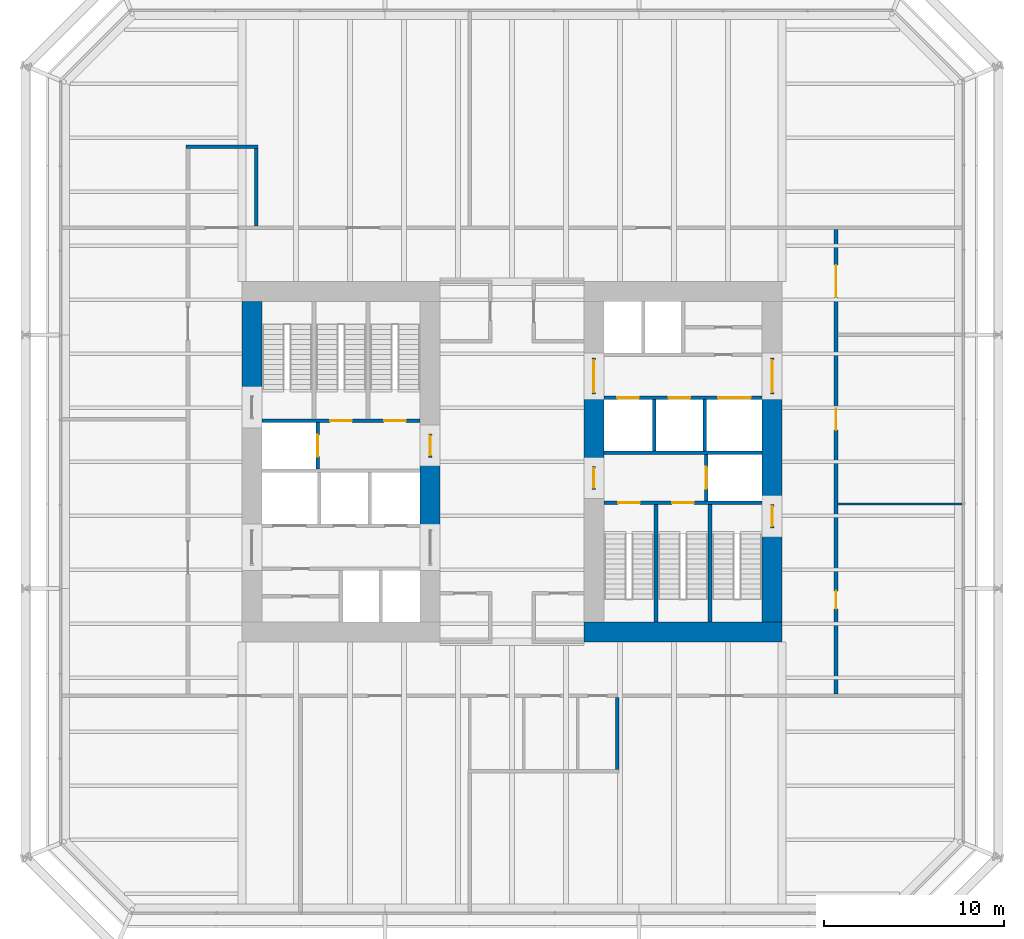
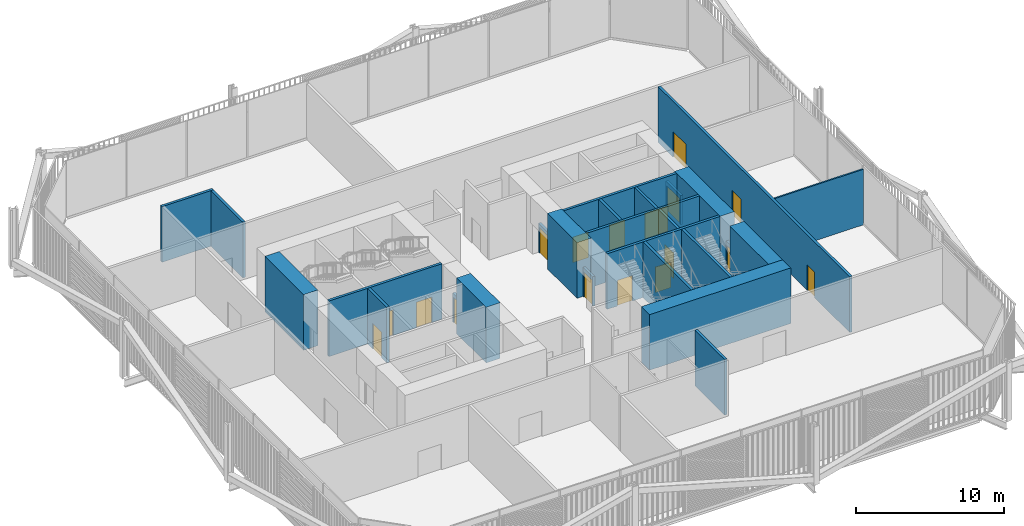
# One storey, part 19 of 22: 26 walls, 17 doors, 17 openings.
"""IFC4 building model written with IfcOpenShell, lengths in metres."""

from ifc_helpers import new_model, si_unit, direction, frame, frame_2d, origin, place, context, subcontext, project, spatial, rectangle, extrude, material, layer, layer_set, type_object, element, fill, save


model = new_model("IFC4")

# Units and contexts
model_context = context("Model", 3, precision=1e-05, world=origin(), true_north=direction((0.0, 1.0)))
body_context = subcontext(model_context, "Body", "Model", "MODEL_VIEW")
ifc_project = project(units=[si_unit("LENGTHUNIT", "METRE"), si_unit("AREAUNIT", "SQUARE_METRE"), si_unit("VOLUMEUNIT", "CUBIC_METRE"), si_unit("PLANEANGLEUNIT", "RADIAN"), si_unit("MASSUNIT", "GRAM", prefix="KILO")], contexts=[model_context])

# Site, building, storey
site_placement = place(None, origin())
site = spatial("IfcSite", under=ifc_project, at=site_placement, CompositionType="ELEMENT")
building_placement = place(site_placement, origin())
building = spatial("IfcBuilding", under=site, at=building_placement, Name="Millrace Tower", CompositionType="ELEMENT")
storey_placement = place(building_placement, frame((0.0, 0.0, 30.5)))
storey = spatial("IfcBuildingStorey", under=building, at=storey_placement, Name="L07", CompositionType="ELEMENT", Elevation=30.5)

# Walls
ifc_material_1 = material(Name="Concrete C80", Category="concrete")
ifc_layer_1 = layer(ifc_material_1, 1.10009765625)
ifc_layer_set_1 = layer_set([ifc_layer_1], Name="Concrete C80")
wall_type_1 = type_object("IfcWallType", Name="Core wall 1100 Concrete C80", PredefinedType="SHEAR", material=ifc_layer_set_1)
wall_1_placement = place(storey_placement, frame((-14.449951171875, 3.679931640625, 0.0), z_axis=(0.0, 0.0, 1.0), x_axis=(0.0, 1.0, 0.0)))
element("IfcWall", 1, at=wall_1_placement, inside=storey, type_object=wall_type_1, Name="Core wall W L07", PredefinedType="SHEAR", context=body_context, shape_type="SweptSolid", body=[
    extrude(rectangle(XDim=5.219970703125, YDim=1.10009765625, at=frame_2d((2.60986328125, 0.0))), origin(), (0.0, 0.0, 1.0), 4.574951171875),
])
wall_2_placement = place(storey_placement, frame((-4.550048828125, -3.75, 0.0), z_axis=(0.0, 0.0, 1.0), x_axis=(0.0, 1.0, 0.0)))
element("IfcWall", 2, at=wall_2_placement, inside=storey, type_object=wall_type_1, Name="Core wall W L07", PredefinedType="SHEAR", context=body_context, shape_type="SweptSolid", body=[
    extrude(rectangle(XDim=4.0, YDim=1.10009765625, at=frame_2d((2.0, 0.0))), origin(), (0.0, 0.0, 1.0), 4.574951171875),
])
wall_3_placement = place(storey_placement, frame((15.0, -9.449951171875, 0.0), z_axis=(0.0, 0.0, 1.0), x_axis=(-1.0, 0.0, 0.0)))
element("IfcWall", 3, at=wall_3_placement, inside=storey, type_object=wall_type_1, Name="Core wall E L07", PredefinedType="SHEAR", context=body_context, shape_type="SweptSolid", body=[
    extrude(rectangle(XDim=11.0, YDim=1.10009765625, at=frame_2d((5.5, 0.0))), origin(), (0.0, 0.0, 1.0), 4.574951171875),
])
wall_4_placement = place(storey_placement, frame((14.449951171875, 3.75, 0.0), z_axis=(0.0, 0.0, 1.0), x_axis=(0.0, -1.0, 0.0)))
element("IfcWall", 4, at=wall_4_placement, inside=storey, type_object=wall_type_1, Name="Core wall E L07", PredefinedType="SHEAR", context=body_context, shape_type="SweptSolid", body=[
    extrude(rectangle(XDim=6.1298828125, YDim=1.10009765625, at=frame_2d((3.06494140625, 0.0))), origin(), (0.0, 0.0, 1.0), 4.574951171875),
])
wall_5_placement = place(storey_placement, frame((14.449951171875, -3.679931640625, 0.0), z_axis=(0.0, 0.0, 1.0), x_axis=(0.0, -1.0, 0.0)))
element("IfcWall", 5, at=wall_5_placement, inside=storey, type_object=wall_type_1, Name="Core wall E L07", PredefinedType="SHEAR", context=body_context, shape_type="SweptSolid", body=[
    extrude(rectangle(XDim=5.219970703125, YDim=1.10009765625, at=frame_2d((2.60986328125, 0.0))), origin(), (0.0, 0.0, 1.0), 4.574951171875),
])
wall_6_placement = place(storey_placement, frame((4.550048828125, 3.75, 0.0), z_axis=(0.0, 0.0, 1.0), x_axis=(0.0, -1.0, 0.0)))
element("IfcWall", 6, at=wall_6_placement, inside=storey, type_object=wall_type_1, Name="Core wall E L07", PredefinedType="SHEAR", context=body_context, shape_type="SweptSolid", body=[
    extrude(rectangle(XDim=4.0, YDim=1.10009765625, at=frame_2d((2.0, 0.0))), origin(), (0.0, 0.0, 1.0), 4.574951171875),
])
ifc_material_2 = material(Name="Masonry partition, fire-rated", Category="masonry")
ifc_layer_2 = layer(ifc_material_2, 0.199951171875)
ifc_layer_set_2 = layer_set([ifc_layer_2], Name="Masonry partition, fire-rated")
wall_type_2 = type_object("IfcWallType", Name="Corridor wall 200", PredefinedType="PARTITIONING", material=ifc_layer_set_2)
wall_7_placement = place(storey_placement, frame((-18.10009765625, 17.5, 0.0), z_axis=(0.0, 0.0, 1.0), x_axis=(1.0, 0.0, 0.0)))
element("IfcWall", 7, at=wall_7_placement, inside=storey, type_object=wall_type_2, Name="Corridor wall L07", PredefinedType="PARTITIONING", context=body_context, shape_type="SweptSolid", body=[
    extrude(rectangle(XDim=4.0, YDim=0.199951171875, at=frame_2d((2.0, 0.0))), origin(), (0.0, 0.0, 1.0), 4.574951171875),
])

# Wall, openings, doors
wall_8_placement = place(storey_placement, frame((18.0, -12.89990234375, 0.0), z_axis=(0.0, 0.0, 1.0), x_axis=(0.0, 1.0, 0.0)))
wall_8 = element("IfcWall", 8, at=wall_8_placement, inside=storey, type_object=wall_type_2, Name="Corridor wall L07", PredefinedType="PARTITIONING", context=body_context, shape_type="SweptSolid", body=[
    extrude(rectangle(XDim=25.7998046875, YDim=0.199951171875, at=frame_2d((12.89990234375, 0.0))), origin(), (0.0, 0.0, 1.0), 4.574951171875),
])
opening_1_placement = place(wall_8_placement, frame((4.72509765625, 0.0, 0.0)))
opening_1 = element("IfcOpeningElement", 9, at=opening_1_placement, cuts=wall_8, Name="Opening 07-P014", PredefinedType="OPENING", context=body_context, shape_type="SweptSolid", body=[
    extrude(rectangle(XDim=1.0, YDim=2.10009765625, at=frame_2d((0.5, 1.050048828125))), frame((0.0, 0.10986328125, 0.0), z_axis=(0.0, -1.0, 0.0), x_axis=(1.0, 0.0, 0.0)), (0.0, 0.0, 1.0), 0.219970703125),
])
opening_2_placement = place(wall_8_placement, frame((14.64990234375, 0.0, 0.0)))
opening_2 = element("IfcOpeningElement", 10, at=opening_2_placement, cuts=wall_8, Name="Opening 07-P015", PredefinedType="OPENING", context=body_context, shape_type="SweptSolid", body=[
    extrude(rectangle(XDim=1.199951171875, YDim=2.10009765625, at=frame_2d((0.60009765625, 1.050048828125))), frame((0.0, 0.10986328125, 0.0), z_axis=(0.0, -1.0, 0.0), x_axis=(1.0, 0.0, 0.0)), (0.0, 0.0, 1.0), 0.219970703125),
])
opening_3_placement = place(wall_8_placement, frame((22.02490234375, 0.0, 0.0)))
opening_3 = element("IfcOpeningElement", 11, at=opening_3_placement, cuts=wall_8, Name="Opening 07-P016", PredefinedType="OPENING", context=body_context, shape_type="SweptSolid", body=[
    extrude(rectangle(XDim=1.800048828125, YDim=2.10009765625, at=frame_2d((0.89990234375, 1.050048828125))), frame((0.0, 0.10986328125, 0.0), z_axis=(0.0, -1.0, 0.0), x_axis=(1.0, 0.0, 0.0)), (0.0, 0.0, 1.0), 0.219970703125),
])
ifc_material_3 = material(Name="Steel door set, fire-rated", Category="steel")
door_type_1 = type_object("IfcDoorType", Name="Corridor door 1000 x 2100", OperationType="SINGLE_SWING_LEFT", PredefinedType="DOOR", material=ifc_material_3)
door_1_placement = place(opening_1_placement, frame((1.0, 0.0, 0.0), z_axis=(0.0, 0.0, 1.0), x_axis=(-1.0, 0.0, 0.0)))
door_1 = element("IfcDoor", 12, at=door_1_placement, inside=storey, type_object=door_type_1, Name="Door 07-P014", OperationType="SINGLE_SWING_RIGHT", OverallHeight=2.10009765625, OverallWidth=1.0, PredefinedType="DOOR", context=body_context, shape_type="SweptSolid", body=[
    extrude(rectangle(XDim=1.0, YDim=2.10009765625, at=frame_2d((0.5, 1.050048828125))), frame((0.0, 0.02490234375, 0.0), z_axis=(0.0, -1.0, 0.0), x_axis=(1.0, 0.0, 0.0)), (0.0, 0.0, 1.0), 0.050048828125),
])
fill(opening_1, door_1)
ifc_material_4 = material(Name="Steel door set, fire-rated", Category="steel")
door_type_2 = type_object("IfcDoorType", Name="Corridor door 1200 x 2100", OperationType="SINGLE_SWING_LEFT", PredefinedType="DOOR", material=ifc_material_4)
door_2_placement = place(opening_2_placement, frame((1.199951171875, 0.0, 0.0), z_axis=(0.0, 0.0, 1.0), x_axis=(-1.0, 0.0, 0.0)))
door_2 = element("IfcDoor", 13, at=door_2_placement, inside=storey, type_object=door_type_2, Name="Door 07-P015", OperationType="SINGLE_SWING_LEFT", OverallHeight=2.10009765625, OverallWidth=1.199951171875, PredefinedType="DOOR", context=body_context, shape_type="SweptSolid", body=[
    extrude(rectangle(XDim=1.199951171875, YDim=2.10009765625, at=frame_2d((0.60009765625, 1.050048828125))), frame((0.0, 0.02490234375, 0.0), z_axis=(0.0, -1.0, 0.0), x_axis=(1.0, 0.0, 0.0)), (0.0, 0.0, 1.0), 0.050048828125),
])
fill(opening_2, door_2)
ifc_material_5 = material(Name="Steel door set, fire-rated", Category="steel")
door_type_3 = type_object("IfcDoorType", Name="Data hall door 1800 x 2100", OperationType="DOUBLE_DOOR_SINGLE_SWING", PredefinedType="DOOR", material=ifc_material_5)
door_3_placement = place(opening_3_placement, frame((1.800048828125, 0.0, 0.0), z_axis=(0.0, 0.0, 1.0), x_axis=(-1.0, 0.0, 0.0)))
door_3 = element("IfcDoor", 14, at=door_3_placement, inside=storey, type_object=door_type_3, Name="Door 07-P016", OperationType="DOUBLE_DOOR_SINGLE_SWING", OverallHeight=2.10009765625, OverallWidth=1.800048828125, PredefinedType="DOOR", context=body_context, shape_type="SweptSolid", body=[
    extrude(rectangle(XDim=1.800048828125, YDim=2.10009765625, at=frame_2d((0.89990234375, 1.050048828125))), frame((0.0, 0.02490234375, 0.0), z_axis=(0.0, -1.0, 0.0), x_axis=(1.0, 0.0, 0.0)), (0.0, 0.0, 1.0), 0.050048828125),
])
fill(opening_3, door_3)

# Walls
wall_9_placement = place(storey_placement, frame((5.85009765625, -17.10009765625, 0.0), z_axis=(0.0, 0.0, 1.0), x_axis=(0.0, 1.0, 0.0)))
element("IfcWall", 15, at=wall_9_placement, inside=storey, type_object=wall_type_2, Name="Corridor wall L07", PredefinedType="PARTITIONING", context=body_context, shape_type="SweptSolid", body=[
    extrude(rectangle(XDim=4.0, YDim=0.199951171875, at=frame_2d((2.0, 0.0))), origin(), (0.0, 0.0, 1.0), 4.574951171875),
])
wall_10_placement = place(storey_placement, frame((-14.199951171875, 13.10009765625, 0.0), z_axis=(0.0, 0.0, 1.0), x_axis=(0.0, 1.0, 0.0)))
element("IfcWall", 16, at=wall_10_placement, inside=storey, type_object=wall_type_2, Name="Corridor wall L07", PredefinedType="PARTITIONING", context=body_context, shape_type="SweptSolid", body=[
    extrude(rectangle(XDim=4.2998046875, YDim=0.199951171875, at=frame_2d((2.14990234375, 0.0))), origin(), (0.0, 0.0, 1.0), 4.574951171875),
])

# Wall, opening, door
ifc_material_6 = material(Name="Masonry partition, fire-rated", Category="masonry")
ifc_layer_3 = layer(ifc_material_6, 0.199951171875)
ifc_layer_set_3 = layer_set([ifc_layer_3], Name="Masonry partition, fire-rated")
wall_type_3 = type_object("IfcWallType", Name="Lift shaft wall 200", PredefinedType="PARTITIONING", material=ifc_layer_set_3)
wall_11_placement = place(storey_placement, frame((-10.800048828125, -0.39990234375, 0.0), z_axis=(0.0, 0.0, 1.0), x_axis=(0.0, 1.0, 0.0)))
wall_11 = element("IfcWall", 17, at=wall_11_placement, inside=storey, type_object=wall_type_3, Name="Lift shaft wall W L07", PredefinedType="PARTITIONING", context=body_context, shape_type="SweptSolid", body=[
    extrude(rectangle(XDim=2.579833984375, YDim=0.199951171875, at=frame_2d((1.2900390625, 0.0))), origin(), (0.0, 0.0, 1.0), 4.574951171875),
])
opening_4_placement = place(wall_11_placement, frame((0.68994140625, 0.0, 0.0)))
opening_4 = element("IfcOpeningElement", 18, at=opening_4_placement, cuts=wall_11, Name="Opening 07-LD08", PredefinedType="OPENING", context=body_context, shape_type="SweptSolid", body=[
    extrude(rectangle(XDim=1.199951171875, YDim=2.10009765625, at=frame_2d((0.60009765625, 1.050048828125))), frame((0.0, 0.10986328125, 0.0), z_axis=(0.0, -1.0, 0.0), x_axis=(1.0, 0.0, 0.0)), (0.0, 0.0, 1.0), 0.219970703125),
])
ifc_material_7 = material(Name="Stainless steel, fire-rated", Category="steel")
door_type_4 = type_object("IfcDoorType", Name="Lift landing door 1200 x 2100", OperationType="DOUBLE_DOOR_SLIDING", PredefinedType="DOOR", material=ifc_material_7)
door_4_placement = place(opening_4_placement, origin())
door_4 = element("IfcDoor", 19, at=door_4_placement, inside=storey, type_object=door_type_4, Name="Lift landing door LF8 L07", OperationType="DOUBLE_DOOR_SLIDING", OverallHeight=2.10009765625, OverallWidth=1.199951171875, PredefinedType="DOOR", context=body_context, shape_type="SweptSolid", body=[
    extrude(rectangle(XDim=1.199951171875, YDim=2.10009765625, at=frame_2d((0.60009765625, 1.050048828125))), frame((0.0, 0.02490234375, 0.0), z_axis=(0.0, -1.0, 0.0), x_axis=(1.0, 0.0, 0.0)), (0.0, 0.0, 1.0), 0.050048828125),
])
fill(opening_4, door_4)

# Wall, openings, doors
wall_12_placement = place(storey_placement, frame((13.89990234375, 3.550048828125, 0.0), z_axis=(0.0, 0.0, 1.0), x_axis=(-1.0, 0.0, 0.0)))
wall_12 = element("IfcWall", 20, at=wall_12_placement, inside=storey, type_object=wall_type_3, Name="Lift shaft wall E L07", PredefinedType="PARTITIONING", context=body_context, shape_type="SweptSolid", body=[
    extrude(rectangle(XDim=8.7998046875, YDim=0.199951171875, at=frame_2d((4.39990234375, 0.0))), origin(), (0.0, 0.0, 1.0), 4.574951171875),
])
opening_5_placement = place(wall_12_placement, frame((0.64990234375, 0.0, 0.0)))
opening_5 = element("IfcOpeningElement", 21, at=opening_5_placement, cuts=wall_12, Name="Opening 07-LD13", PredefinedType="OPENING", context=body_context, shape_type="SweptSolid", body=[
    extrude(rectangle(XDim=1.800048828125, YDim=2.10009765625, at=frame_2d((0.89990234375, 1.050048828125))), frame((0.0, 0.10986328125, 0.0), z_axis=(0.0, -1.0, 0.0), x_axis=(1.0, 0.0, 0.0)), (0.0, 0.0, 1.0), 0.219970703125),
])
opening_6_placement = place(wall_12_placement, frame((4.0, 0.0, 0.0)))
opening_6 = element("IfcOpeningElement", 22, at=opening_6_placement, cuts=wall_12, Name="Opening 07-LD14", PredefinedType="OPENING", context=body_context, shape_type="SweptSolid", body=[
    extrude(rectangle(XDim=1.199951171875, YDim=2.10009765625, at=frame_2d((0.60009765625, 1.050048828125))), frame((0.0, 0.10986328125, 0.0), z_axis=(0.0, -1.0, 0.0), x_axis=(1.0, 0.0, 0.0)), (0.0, 0.0, 1.0), 0.219970703125),
])
opening_7_placement = place(wall_12_placement, frame((6.85009765625, 0.0, 0.0)))
opening_7 = element("IfcOpeningElement", 23, at=opening_7_placement, cuts=wall_12, Name="Opening 07-LD15", PredefinedType="OPENING", context=body_context, shape_type="SweptSolid", body=[
    extrude(rectangle(XDim=1.199951171875, YDim=2.10009765625, at=frame_2d((0.60009765625, 1.050048828125))), frame((0.0, 0.10986328125, 0.0), z_axis=(0.0, -1.0, 0.0), x_axis=(1.0, 0.0, 0.0)), (0.0, 0.0, 1.0), 0.219970703125),
])
door_5_placement = place(opening_6_placement, origin())
door_5 = element("IfcDoor", 24, at=door_5_placement, inside=storey, type_object=door_type_4, Name="Lift landing door LF14 L07", OperationType="DOUBLE_DOOR_SLIDING", OverallHeight=2.10009765625, OverallWidth=1.199951171875, PredefinedType="DOOR", context=body_context, shape_type="SweptSolid", body=[
    extrude(rectangle(XDim=1.199951171875, YDim=2.10009765625, at=frame_2d((0.60009765625, 1.050048828125))), frame((0.0, 0.02490234375, 0.0), z_axis=(0.0, -1.0, 0.0), x_axis=(1.0, 0.0, 0.0)), (0.0, 0.0, 1.0), 0.050048828125),
])
fill(opening_6, door_5)
door_6_placement = place(opening_7_placement, origin())
door_6 = element("IfcDoor", 25, at=door_6_placement, inside=storey, type_object=door_type_4, Name="Lift landing door LF15 L07", OperationType="DOUBLE_DOOR_SLIDING", OverallHeight=2.10009765625, OverallWidth=1.199951171875, PredefinedType="DOOR", context=body_context, shape_type="SweptSolid", body=[
    extrude(rectangle(XDim=1.199951171875, YDim=2.10009765625, at=frame_2d((0.60009765625, 1.050048828125))), frame((0.0, 0.02490234375, 0.0), z_axis=(0.0, -1.0, 0.0), x_axis=(1.0, 0.0, 0.0)), (0.0, 0.0, 1.0), 0.050048828125),
])
fill(opening_7, door_6)
ifc_material_8 = material(Name="Stainless steel, fire-rated", Category="steel")
door_type_5 = type_object("IfcDoorType", Name="Lift landing door 1800 x 2100", OperationType="DOUBLE_DOOR_SLIDING", PredefinedType="DOOR", material=ifc_material_8)
door_7_placement = place(opening_5_placement, origin())
door_7 = element("IfcDoor", 26, at=door_7_placement, inside=storey, type_object=door_type_5, Name="Lift landing door LF13 L07", OperationType="DOUBLE_DOOR_SLIDING", OverallHeight=2.10009765625, OverallWidth=1.800048828125, PredefinedType="DOOR", context=body_context, shape_type="SweptSolid", body=[
    extrude(rectangle(XDim=1.800048828125, YDim=2.10009765625, at=frame_2d((0.89990234375, 1.050048828125))), frame((0.0, 0.02490234375, 0.0), z_axis=(0.0, -1.0, 0.0), x_axis=(1.0, 0.0, 0.0)), (0.0, 0.0, 1.0), 0.050048828125),
])
fill(opening_5, door_7)

# Wall
wall_13_placement = place(storey_placement, frame((13.89990234375, 0.5, 0.0), z_axis=(0.0, 0.0, 1.0), x_axis=(-1.0, 0.0, 0.0)))
element("IfcWall", 27, at=wall_13_placement, inside=storey, type_object=wall_type_3, Name="Lift shaft wall E L07", PredefinedType="PARTITIONING", context=body_context, shape_type="SweptSolid", body=[
    extrude(rectangle(XDim=8.7998046875, YDim=0.199951171875, at=frame_2d((4.39990234375, 0.0))), origin(), (0.0, 0.0, 1.0), 4.574951171875),
])

# Wall, opening, door
wall_14_placement = place(storey_placement, frame((10.800048828125, 0.39990234375, 0.0), z_axis=(0.0, 0.0, 1.0), x_axis=(0.0, -1.0, 0.0)))
wall_14 = element("IfcWall", 28, at=wall_14_placement, inside=storey, type_object=wall_type_3, Name="Lift shaft wall E L07", PredefinedType="PARTITIONING", context=body_context, shape_type="SweptSolid", body=[
    extrude(rectangle(XDim=2.579833984375, YDim=0.199951171875, at=frame_2d((1.2900390625, 0.0))), origin(), (0.0, 0.0, 1.0), 4.574951171875),
])
opening_8_placement = place(wall_14_placement, frame((0.68994140625, 0.0, 0.0)))
opening_8 = element("IfcOpeningElement", 29, at=opening_8_placement, cuts=wall_14, Name="Opening 07-LD16", PredefinedType="OPENING", context=body_context, shape_type="SweptSolid", body=[
    extrude(rectangle(XDim=1.199951171875, YDim=2.10009765625, at=frame_2d((0.60009765625, 1.050048828125))), frame((0.0, 0.10986328125, 0.0), z_axis=(0.0, -1.0, 0.0), x_axis=(1.0, 0.0, 0.0)), (0.0, 0.0, 1.0), 0.219970703125),
])
door_8_placement = place(opening_8_placement, origin())
door_8 = element("IfcDoor", 30, at=door_8_placement, inside=storey, type_object=door_type_4, Name="Lift landing door LF16 L07", OperationType="DOUBLE_DOOR_SLIDING", OverallHeight=2.10009765625, OverallWidth=1.199951171875, PredefinedType="DOOR", context=body_context, shape_type="SweptSolid", body=[
    extrude(rectangle(XDim=1.199951171875, YDim=2.10009765625, at=frame_2d((0.60009765625, 1.050048828125))), frame((0.0, 0.02490234375, 0.0), z_axis=(0.0, -1.0, 0.0), x_axis=(1.0, 0.0, 0.0)), (0.0, 0.0, 1.0), 0.050048828125),
])
fill(opening_8, door_8)

# Walls
for number, where, z_axis, x_axis, name in (
    (31, (10.699951171875, 3.449951171875, 0.0), (0.0, 0.0, 1.0), (0.0, -1.0, 0.0), "Lift shaft wall E L07"),
    (32, (7.89990234375, 3.449951171875, 0.0), (0.0, 0.0, 1.0), (0.0, -1.0, 0.0), "Lift shaft wall E L07"),
):
    element("IfcWall", number, at=place(storey_placement, frame(where, z_axis=z_axis, x_axis=x_axis)), inside=storey, type_object=wall_type_3, Name=name, PredefinedType="PARTITIONING", context=body_context, shape_type="SweptSolid", body=[
        extrude(rectangle(XDim=2.849853515625, YDim=0.199951171875, at=frame_2d((1.4248046875, 0.0))), origin(), (0.0, 0.0, 1.0), 4.574951171875),
    ])

# Wall, opening, door
ifc_material_9 = material(Name="Masonry partition, fire-rated", Category="masonry")
ifc_layer_4 = layer(ifc_material_9, 0.199951171875)
ifc_layer_set_4 = layer_set([ifc_layer_4], Name="Masonry partition, fire-rated")
wall_type_4 = type_object("IfcWallType", Name="Lobby wall 200", PredefinedType="PARTITIONING", material=ifc_layer_set_4)
wall_15_placement = place(storey_placement, frame((-4.550048828125, 0.25, 0.0), z_axis=(0.0, 0.0, 1.0), x_axis=(0.0, 1.0, 0.0)))
wall_15 = element("IfcWall", 33, at=wall_15_placement, inside=storey, type_object=wall_type_4, Name="Lobby wall W L07", PredefinedType="PARTITIONING", context=body_context, shape_type="SweptSolid", body=[
    extrude(rectangle(XDim=1.300048828125, YDim=0.199951171875, at=frame_2d((0.64990234375, 0.0))), origin(), (0.0, 0.0, 1.0), 2.39990234375),
])
opening_9_placement = place(wall_15_placement, frame((0.10009765625, 0.0, 0.0)))
opening_9 = element("IfcOpeningElement", 34, at=opening_9_placement, cuts=wall_15, Name="Opening 07-C004", PredefinedType="OPENING", context=body_context, shape_type="SweptSolid", body=[
    extrude(rectangle(XDim=1.10009765625, YDim=2.10009765625, at=frame_2d((0.550048828125, 1.050048828125))), frame((0.0, 0.10986328125, 0.0), z_axis=(0.0, -1.0, 0.0), x_axis=(1.0, 0.0, 0.0)), (0.0, 0.0, 1.0), 0.219970703125),
])
ifc_material_10 = material(Name="Steel door, fire-rated", Category="steel")
door_type_6 = type_object("IfcDoorType", Name="Lobby door 1100 x 2100", OperationType="SINGLE_SWING_LEFT", PredefinedType="DOOR", material=ifc_material_10)
door_9_placement = place(opening_9_placement, origin())
door_9 = element("IfcDoor", 35, at=door_9_placement, inside=storey, type_object=door_type_6, Name="Lobby door 07-C004", OperationType="SINGLE_SWING_LEFT", OverallHeight=2.10009765625, OverallWidth=1.10009765625, PredefinedType="DOOR", context=body_context, shape_type="SweptSolid", body=[
    extrude(rectangle(XDim=1.10009765625, YDim=2.10009765625, at=frame_2d((0.550048828125, 1.050048828125))), frame((0.0, 0.02490234375, 0.0), z_axis=(0.0, -1.0, 0.0), x_axis=(1.0, 0.0, 0.0)), (0.0, 0.0, 1.0), 0.050048828125),
])
fill(opening_9, door_9)

wall_16_placement = place(storey_placement, frame((14.449951171875, 5.75, 0.0), z_axis=(0.0, 0.0, 1.0), x_axis=(0.0, -1.0, 0.0)))
wall_16 = element("IfcWall", 36, at=wall_16_placement, inside=storey, type_object=wall_type_4, Name="Lobby wall E L07", PredefinedType="PARTITIONING", context=body_context, shape_type="SweptSolid", body=[
    extrude(rectangle(XDim=2.0, YDim=0.199951171875, at=frame_2d((1.0, 0.0))), origin(), (0.0, 0.0, 1.0), 2.39990234375),
])
opening_10_placement = place(wall_16_placement, frame((0.10009765625, 0.0, 0.0)))
opening_10 = element("IfcOpeningElement", 37, at=opening_10_placement, cuts=wall_16, Name="Opening 07-C009", PredefinedType="OPENING", context=body_context, shape_type="SweptSolid", body=[
    extrude(rectangle(XDim=1.800048828125, YDim=2.10009765625, at=frame_2d((0.89990234375, 1.050048828125))), frame((0.0, 0.10986328125, 0.0), z_axis=(0.0, -1.0, 0.0), x_axis=(1.0, 0.0, 0.0)), (0.0, 0.0, 1.0), 0.219970703125),
])
ifc_material_11 = material(Name="Steel door, fire-rated", Category="steel")
door_type_7 = type_object("IfcDoorType", Name="Lobby door 1800 x 2100", OperationType="DOUBLE_DOOR_SINGLE_SWING", PredefinedType="DOOR", material=ifc_material_11)
door_10_placement = place(opening_10_placement, origin())
door_10 = element("IfcDoor", 38, at=door_10_placement, inside=storey, type_object=door_type_7, Name="Lobby door 07-C009", OperationType="DOUBLE_DOOR_SINGLE_SWING", OverallHeight=2.10009765625, OverallWidth=1.800048828125, PredefinedType="DOOR", context=body_context, shape_type="SweptSolid", body=[
    extrude(rectangle(XDim=1.800048828125, YDim=2.10009765625, at=frame_2d((0.89990234375, 1.050048828125))), frame((0.0, 0.02490234375, 0.0), z_axis=(0.0, -1.0, 0.0), x_axis=(1.0, 0.0, 0.0)), (0.0, 0.0, 1.0), 0.050048828125),
])
fill(opening_10, door_10)

wall_17_placement = place(storey_placement, frame((4.550048828125, 5.75, 0.0), z_axis=(0.0, 0.0, 1.0), x_axis=(0.0, -1.0, 0.0)))
wall_17 = element("IfcWall", 39, at=wall_17_placement, inside=storey, type_object=wall_type_4, Name="Lobby wall E L07", PredefinedType="PARTITIONING", context=body_context, shape_type="SweptSolid", body=[
    extrude(rectangle(XDim=2.0, YDim=0.199951171875, at=frame_2d((1.0, 0.0))), origin(), (0.0, 0.0, 1.0), 2.39990234375),
])
opening_11_placement = place(wall_17_placement, frame((0.10009765625, 0.0, 0.0)))
opening_11 = element("IfcOpeningElement", 40, at=opening_11_placement, cuts=wall_17, Name="Opening 07-C011", PredefinedType="OPENING", context=body_context, shape_type="SweptSolid", body=[
    extrude(rectangle(XDim=1.800048828125, YDim=2.10009765625, at=frame_2d((0.89990234375, 1.050048828125))), frame((0.0, 0.10986328125, 0.0), z_axis=(0.0, -1.0, 0.0), x_axis=(1.0, 0.0, 0.0)), (0.0, 0.0, 1.0), 0.219970703125),
])
door_11_placement = place(opening_11_placement, origin())
door_11 = element("IfcDoor", 41, at=door_11_placement, inside=storey, type_object=door_type_7, Name="Lobby door 07-C011", OperationType="DOUBLE_DOOR_SINGLE_SWING", OverallHeight=2.10009765625, OverallWidth=1.800048828125, PredefinedType="DOOR", context=body_context, shape_type="SweptSolid", body=[
    extrude(rectangle(XDim=1.800048828125, YDim=2.10009765625, at=frame_2d((0.89990234375, 1.050048828125))), frame((0.0, 0.02490234375, 0.0), z_axis=(0.0, -1.0, 0.0), x_axis=(1.0, 0.0, 0.0)), (0.0, 0.0, 1.0), 0.050048828125),
])
fill(opening_11, door_11)

wall_18_placement = place(storey_placement, frame((4.550048828125, -0.25, 0.0), z_axis=(0.0, 0.0, 1.0), x_axis=(0.0, -1.0, 0.0)))
wall_18 = element("IfcWall", 42, at=wall_18_placement, inside=storey, type_object=wall_type_4, Name="Lobby wall E L07", PredefinedType="PARTITIONING", context=body_context, shape_type="SweptSolid", body=[
    extrude(rectangle(XDim=1.300048828125, YDim=0.199951171875, at=frame_2d((0.64990234375, 0.0))), origin(), (0.0, 0.0, 1.0), 2.39990234375),
])
opening_12_placement = place(wall_18_placement, frame((0.10009765625, 0.0, 0.0)))
opening_12 = element("IfcOpeningElement", 43, at=opening_12_placement, cuts=wall_18, Name="Opening 07-C012", PredefinedType="OPENING", context=body_context, shape_type="SweptSolid", body=[
    extrude(rectangle(XDim=1.10009765625, YDim=2.10009765625, at=frame_2d((0.550048828125, 1.050048828125))), frame((0.0, 0.10986328125, 0.0), z_axis=(0.0, -1.0, 0.0), x_axis=(1.0, 0.0, 0.0)), (0.0, 0.0, 1.0), 0.219970703125),
])
door_12_placement = place(opening_12_placement, origin())
door_12 = element("IfcDoor", 44, at=door_12_placement, inside=storey, type_object=door_type_6, Name="Lobby door 07-C012", OperationType="SINGLE_SWING_RIGHT", OverallHeight=2.10009765625, OverallWidth=1.10009765625, PredefinedType="DOOR", context=body_context, shape_type="SweptSolid", body=[
    extrude(rectangle(XDim=1.10009765625, YDim=2.10009765625, at=frame_2d((0.550048828125, 1.050048828125))), frame((0.0, 0.02490234375, 0.0), z_axis=(0.0, -1.0, 0.0), x_axis=(1.0, 0.0, 0.0)), (0.0, 0.0, 1.0), 0.050048828125),
])
fill(opening_12, door_12)

# Wall
ifc_material_12 = material(Name="Gypsum board partition")
ifc_layer_5 = layer(ifc_material_12, 0.1201171875)
ifc_layer_set_5 = layer_set([ifc_layer_5], Name="Gypsum board partition")
wall_type_5 = type_object("IfcWallType", Name="Partition wall 120", PredefinedType="PARTITIONING", material=ifc_layer_set_5)
wall_19_placement = place(storey_placement, frame((18.10009765625, -2.35009765625, 0.0), z_axis=(0.0, 0.0, 1.0), x_axis=(1.0, 0.0, 0.0)))
element("IfcWall", 45, at=wall_19_placement, inside=storey, type_object=wall_type_5, Name="Partition wall L07", PredefinedType="PARTITIONING", context=body_context, shape_type="SweptSolid", body=[
    extrude(rectangle(XDim=6.929931640625, YDim=0.1201171875, at=frame_2d((3.46484375, 0.0))), origin(), (0.0, 0.0, 1.0), 4.574951171875),
])

# Wall, openings, doors
ifc_material_13 = material(Name="Concrete C40", Category="concrete")
ifc_layer_6 = layer(ifc_material_13, 0.199951171875)
ifc_layer_set_6 = layer_set([ifc_layer_6], Name="Concrete C40")
wall_type_6 = type_object("IfcWallType", Name="Stair enclosure wall 200 Concrete C40", PredefinedType="SHEAR", material=ifc_layer_set_6)
wall_20_placement = place(storey_placement, frame((-13.89990234375, 2.280029296875, 0.0), z_axis=(0.0, 0.0, 1.0), x_axis=(1.0, 0.0, 0.0)))
wall_20 = element("IfcWall", 46, at=wall_20_placement, inside=storey, type_object=wall_type_6, Name="Stair enclosure wall W L07", PredefinedType="SHEAR", context=body_context, shape_type="SweptSolid", body=[
    extrude(rectangle(XDim=8.7998046875, YDim=0.199951171875, at=frame_2d((4.39990234375, 0.0))), origin(), (0.0, 0.0, 1.0), 4.574951171875),
])
opening_13_placement = place(wall_20_placement, frame((3.800048828125, 0.0, 0.0)))
opening_13 = element("IfcOpeningElement", 47, at=opening_13_placement, cuts=wall_20, Name="Opening 07-C007", PredefinedType="OPENING", context=body_context, shape_type="SweptSolid", body=[
    extrude(rectangle(XDim=1.199951171875, YDim=2.10009765625, at=frame_2d((0.60009765625, 1.050048828125))), frame((0.0, 0.10986328125, 0.0), z_axis=(0.0, -1.0, 0.0), x_axis=(1.0, 0.0, 0.0)), (0.0, 0.0, 1.0), 0.219970703125),
])
opening_14_placement = place(wall_20_placement, frame((6.800048828125, 0.0, 0.0)))
opening_14 = element("IfcOpeningElement", 48, at=opening_14_placement, cuts=wall_20, Name="Opening 07-C008", PredefinedType="OPENING", context=body_context, shape_type="SweptSolid", body=[
    extrude(rectangle(XDim=1.199951171875, YDim=2.10009765625, at=frame_2d((0.60009765625, 1.050048828125))), frame((0.0, 0.10986328125, 0.0), z_axis=(0.0, -1.0, 0.0), x_axis=(1.0, 0.0, 0.0)), (0.0, 0.0, 1.0), 0.219970703125),
])
ifc_material_14 = material(Name="Steel door, fire-rated", Category="steel")
door_type_8 = type_object("IfcDoorType", Name="Stair door 1200 x 2100", OperationType="SINGLE_SWING_LEFT", PredefinedType="DOOR", material=ifc_material_14)
door_13_placement = place(opening_13_placement, frame((1.199951171875, 0.0, 0.0), z_axis=(0.0, 0.0, 1.0), x_axis=(-1.0, 0.0, 0.0)))
door_13 = element("IfcDoor", 49, at=door_13_placement, inside=storey, type_object=door_type_8, Name="Stair door 07-C007", OperationType="SINGLE_SWING_RIGHT", OverallHeight=2.10009765625, OverallWidth=1.199951171875, PredefinedType="DOOR", context=body_context, shape_type="SweptSolid", body=[
    extrude(rectangle(XDim=1.199951171875, YDim=2.10009765625, at=frame_2d((0.60009765625, 1.050048828125))), frame((0.0, 0.02490234375, 0.0), z_axis=(0.0, -1.0, 0.0), x_axis=(1.0, 0.0, 0.0)), (0.0, 0.0, 1.0), 0.050048828125),
])
fill(opening_13, door_13)
door_14_placement = place(opening_14_placement, frame((1.199951171875, 0.0, 0.0), z_axis=(0.0, 0.0, 1.0), x_axis=(-1.0, 0.0, 0.0)))
door_14 = element("IfcDoor", 50, at=door_14_placement, inside=storey, type_object=door_type_8, Name="Stair door 07-C008", OperationType="SINGLE_SWING_LEFT", OverallHeight=2.10009765625, OverallWidth=1.199951171875, PredefinedType="DOOR", context=body_context, shape_type="SweptSolid", body=[
    extrude(rectangle(XDim=1.199951171875, YDim=2.10009765625, at=frame_2d((0.60009765625, 1.050048828125))), frame((0.0, 0.02490234375, 0.0), z_axis=(0.0, -1.0, 0.0), x_axis=(1.0, 0.0, 0.0)), (0.0, 0.0, 1.0), 0.050048828125),
])
fill(opening_14, door_14)

# Wall, opening, door
wall_21_placement = place(storey_placement, frame((14.449951171875, -2.3798828125, 0.0), z_axis=(0.0, 0.0, 1.0), x_axis=(0.0, -1.0, 0.0)))
wall_21 = element("IfcWall", 51, at=wall_21_placement, inside=storey, type_object=wall_type_6, Name="Stair enclosure wall E L07", PredefinedType="SHEAR", context=body_context, shape_type="SweptSolid", body=[
    extrude(rectangle(XDim=1.300048828125, YDim=0.199951171875, at=frame_2d((0.64990234375, 0.0))), origin(), (0.0, 0.0, 1.0), 2.39990234375),
])
opening_15_placement = place(wall_21_placement, frame((0.10009765625, 0.0, 0.0)))
opening_15 = element("IfcOpeningElement", 52, at=opening_15_placement, cuts=wall_21, Name="Opening 07-C010", PredefinedType="OPENING", context=body_context, shape_type="SweptSolid", body=[
    extrude(rectangle(XDim=1.10009765625, YDim=2.10009765625, at=frame_2d((0.550048828125, 1.050048828125))), frame((0.0, 0.10986328125, 0.0), z_axis=(0.0, -1.0, 0.0), x_axis=(1.0, 0.0, 0.0)), (0.0, 0.0, 1.0), 0.219970703125),
])
ifc_material_15 = material(Name="Steel door, fire-rated", Category="steel")
door_type_9 = type_object("IfcDoorType", Name="Stair door 1100 x 2100", OperationType="SINGLE_SWING_LEFT", PredefinedType="DOOR", material=ifc_material_15)
door_15_placement = place(opening_15_placement, origin())
door_15 = element("IfcDoor", 53, at=door_15_placement, inside=storey, type_object=door_type_9, Name="Stair door 07-C010", OperationType="SINGLE_SWING_LEFT", OverallHeight=2.10009765625, OverallWidth=1.10009765625, PredefinedType="DOOR", context=body_context, shape_type="SweptSolid", body=[
    extrude(rectangle(XDim=1.10009765625, YDim=2.10009765625, at=frame_2d((0.550048828125, 1.050048828125))), frame((0.0, 0.02490234375, 0.0), z_axis=(0.0, -1.0, 0.0), x_axis=(1.0, 0.0, 0.0)), (0.0, 0.0, 1.0), 0.050048828125),
])
fill(opening_15, door_15)

# Wall, openings, doors
wall_22_placement = place(storey_placement, frame((13.89990234375, -2.280029296875, 0.0), z_axis=(0.0, 0.0, 1.0), x_axis=(-1.0, 0.0, 0.0)))
wall_22 = element("IfcWall", 54, at=wall_22_placement, inside=storey, type_object=wall_type_6, Name="Stair enclosure wall E L07", PredefinedType="SHEAR", context=body_context, shape_type="SweptSolid", body=[
    extrude(rectangle(XDim=8.7998046875, YDim=0.199951171875, at=frame_2d((4.39990234375, 0.0))), origin(), (0.0, 0.0, 1.0), 4.574951171875),
])
opening_16_placement = place(wall_22_placement, frame((3.800048828125, 0.0, 0.0)))
opening_16 = element("IfcOpeningElement", 55, at=opening_16_placement, cuts=wall_22, Name="Opening 07-C015", PredefinedType="OPENING", context=body_context, shape_type="SweptSolid", body=[
    extrude(rectangle(XDim=1.199951171875, YDim=2.10009765625, at=frame_2d((0.60009765625, 1.050048828125))), frame((0.0, 0.10986328125, 0.0), z_axis=(0.0, -1.0, 0.0), x_axis=(1.0, 0.0, 0.0)), (0.0, 0.0, 1.0), 0.219970703125),
])
opening_17_placement = place(wall_22_placement, frame((6.800048828125, 0.0, 0.0)))
opening_17 = element("IfcOpeningElement", 56, at=opening_17_placement, cuts=wall_22, Name="Opening 07-C016", PredefinedType="OPENING", context=body_context, shape_type="SweptSolid", body=[
    extrude(rectangle(XDim=1.199951171875, YDim=2.10009765625, at=frame_2d((0.60009765625, 1.050048828125))), frame((0.0, 0.10986328125, 0.0), z_axis=(0.0, -1.0, 0.0), x_axis=(1.0, 0.0, 0.0)), (0.0, 0.0, 1.0), 0.219970703125),
])
door_16_placement = place(opening_16_placement, frame((1.199951171875, 0.0, 0.0), z_axis=(0.0, 0.0, 1.0), x_axis=(-1.0, 0.0, 0.0)))
door_16 = element("IfcDoor", 57, at=door_16_placement, inside=storey, type_object=door_type_8, Name="Stair door 07-C015", OperationType="SINGLE_SWING_RIGHT", OverallHeight=2.10009765625, OverallWidth=1.199951171875, PredefinedType="DOOR", context=body_context, shape_type="SweptSolid", body=[
    extrude(rectangle(XDim=1.199951171875, YDim=2.10009765625, at=frame_2d((0.60009765625, 1.050048828125))), frame((0.0, 0.02490234375, 0.0), z_axis=(0.0, -1.0, 0.0), x_axis=(1.0, 0.0, 0.0)), (0.0, 0.0, 1.0), 0.050048828125),
])
fill(opening_16, door_16)
door_17_placement = place(opening_17_placement, frame((1.199951171875, 0.0, 0.0), z_axis=(0.0, 0.0, 1.0), x_axis=(-1.0, 0.0, 0.0)))
door_17 = element("IfcDoor", 58, at=door_17_placement, inside=storey, type_object=door_type_8, Name="Stair door 07-C016", OperationType="SINGLE_SWING_LEFT", OverallHeight=2.10009765625, OverallWidth=1.199951171875, PredefinedType="DOOR", context=body_context, shape_type="SweptSolid", body=[
    extrude(rectangle(XDim=1.199951171875, YDim=2.10009765625, at=frame_2d((0.60009765625, 1.050048828125))), frame((0.0, 0.02490234375, 0.0), z_axis=(0.0, -1.0, 0.0), x_axis=(1.0, 0.0, 0.0)), (0.0, 0.0, 1.0), 0.050048828125),
])
fill(opening_17, door_17)

# Walls
for number, where, z_axis, x_axis, name in (
    (59, (11.0, -2.3798828125, 0.0), (0.0, 0.0, 1.0), (0.0, -1.0, 0.0), "Stair enclosure wall E L07"),
    (60, (8.0, -2.3798828125, 0.0), (0.0, 0.0, 1.0), (0.0, -1.0, 0.0), "Stair enclosure wall E L07"),
):
    element("IfcWall", number, at=place(storey_placement, frame(where, z_axis=z_axis, x_axis=x_axis)), inside=storey, type_object=wall_type_6, Name=name, PredefinedType="SHEAR", context=body_context, shape_type="SweptSolid", body=[
        extrude(rectangle(XDim=6.52001953125, YDim=0.199951171875, at=frame_2d((3.260009765625, 0.0))), origin(), (0.0, 0.0, 1.0), 4.574951171875),
    ])

save(model, "model.ifc")
